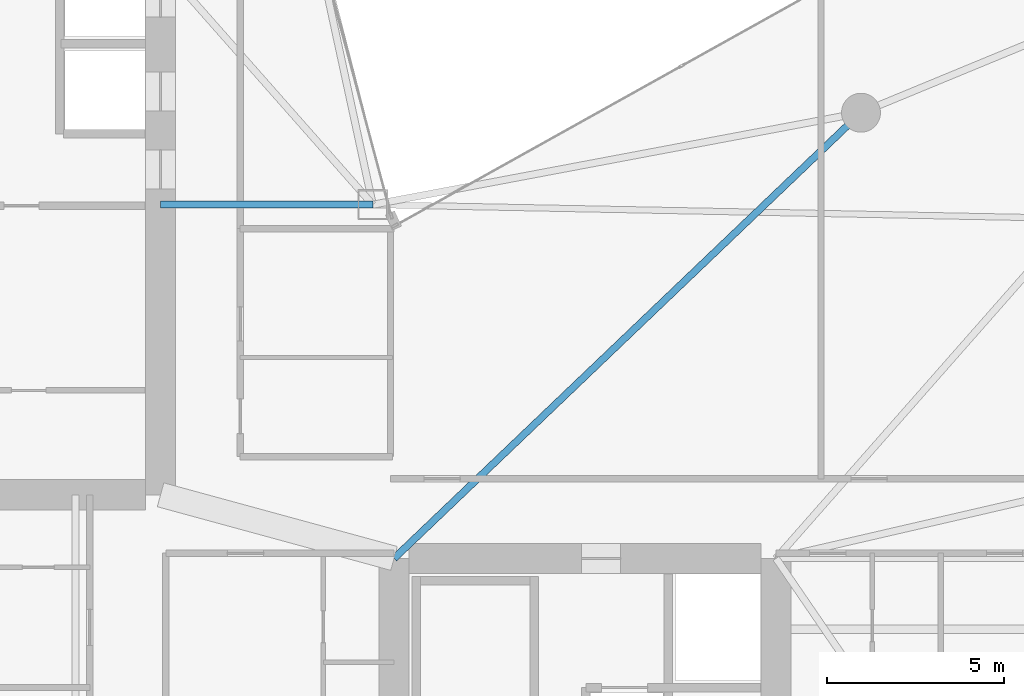
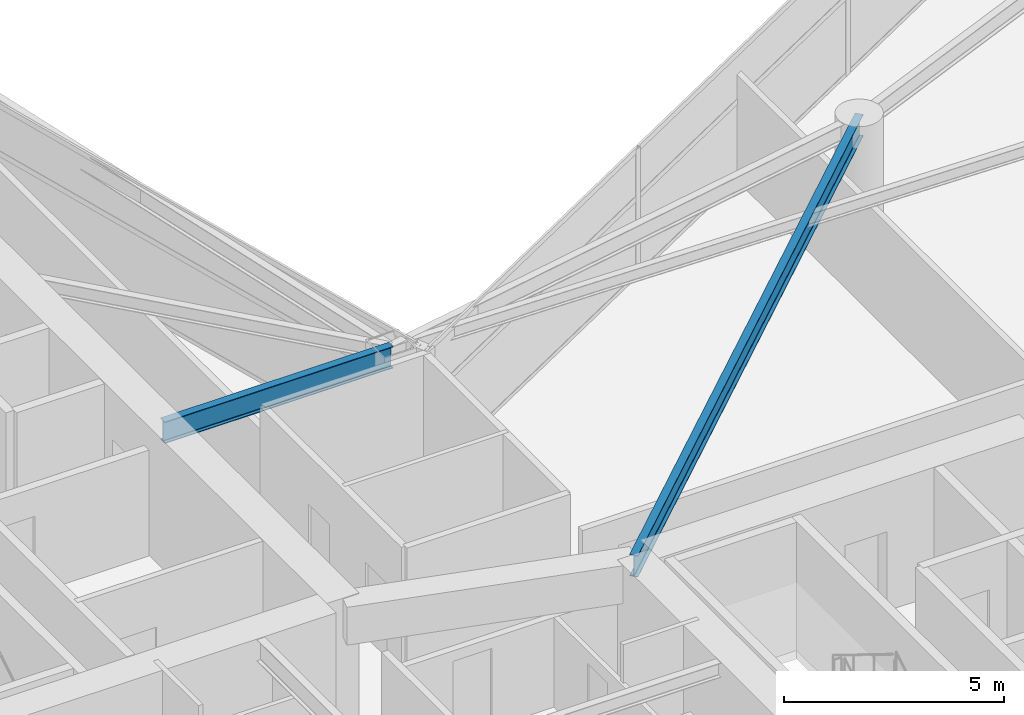
# One storey, part 9 of 29: 2 beams.
"""IFC4 building model written with IfcOpenShell, lengths in metres."""

import ifcopenshell
import ifcopenshell.guid

model = None  # the IFC model being written
_history = None  # IfcOwnerHistory: only IFC2X3 demands one
_inside = {}  # id of a spatial element -> (the spatial element, [elements in it])
_under = {}  # id of a project, library or spatial element -> (it, [spatial elements below it])
_declared = {}  # id of a project -> (the project, [libraries it declares])
_typed = {}  # id of a type object -> (the type object, [elements of that type])
_made_of = {}  # id of a material, layer set ... -> (it, [elements and type objects made of it])


def new_model(schema):
    """Start an empty IFC model of exactly this schema.

    Asked for "IFC4X3", IfcOpenShell would pick the latest addendum, in which some entities
    have other attributes; the version numbers below select the first issue.
    IFC2X3 requires an IfcOwnerHistory on every rooted entity: one is made here for all.
    """
    global model, _history
    if schema == "IFC4X3":
        model = ifcopenshell.file(schema_version=(4, 3, 0, 0))
    else:
        model = ifcopenshell.file(schema=schema)
    _inside.clear()
    _under.clear()
    _declared.clear()
    _typed.clear()
    _made_of.clear()
    _history = None
    if model.schema == "IFC2X3":
        org = make("IfcOrganization", Name="unknown")
        user = make(
            "IfcPersonAndOrganization",
            ThePerson=make("IfcPerson", FamilyName="unknown"),
            TheOrganization=org,
        )
        app = make(
            "IfcApplication",
            ApplicationDeveloper=org,
            Version="unknown",
            ApplicationFullName="unknown",
            ApplicationIdentifier="unknown",
        )
        _history = make(
            "IfcOwnerHistory",
            OwningUser=user,
            OwningApplication=app,
            ChangeAction="ADDED",
            CreationDate=0,
        )
    return model


def make(cls, **values):
    """One entity of the class cls with the attributes given. An attribute that is None is left unset."""
    return model.create_entity(
        cls, **{name: value for name, value in values.items() if value is not None}
    )


def rooted(cls, **values):
    """An entity with a GlobalId (a new one), such as an element, a storey or a relation."""
    return make(cls, GlobalId=ifcopenshell.guid.new(), OwnerHistory=_history, **values)


def si_unit(unit_type, name, prefix=None):
    """IfcSIUnit, for example si_unit("LENGTHUNIT", "METRE", prefix="MILLI")."""
    return make("IfcSIUnit", UnitType=unit_type, Prefix=prefix, Name=name)


def assignment(units):
    """IfcUnitAssignment: the units of a project."""
    return None if units is None else make("IfcUnitAssignment", Units=units)


def point(xyz):
    """IfcCartesianPoint."""
    return None if xyz is None else make("IfcCartesianPoint", Coordinates=xyz)


def direction(xyz):
    """IfcDirection."""
    return None if xyz is None else make("IfcDirection", DirectionRatios=xyz)


def frame(location, z_axis=None, x_axis=None):
    """IfcAxis2Placement3D, a coordinate frame: its origin and axes. An axis left out is left unset."""
    return make(
        "IfcAxis2Placement3D",
        Location=point(location),
        Axis=direction(z_axis),
        RefDirection=direction(x_axis),
    )


def frame_2d(location, x_axis=None):
    """IfcAxis2Placement2D, a coordinate frame in the plane: its origin and x axis."""
    return make(
        "IfcAxis2Placement2D", Location=point(location), RefDirection=direction(x_axis)
    )


def origin():
    """The frame at (0, 0, 0) with its axes left unset."""
    return frame((0.0, 0.0, 0.0))


def origin_2d():
    """The frame at (0, 0) in the plane with its x axis left unset."""
    return frame_2d((0.0, 0.0))


def place(relative_to, where):
    """IfcLocalPlacement: puts the frame where relative to a parent placement (None: the world)."""
    return make(
        "IfcLocalPlacement", PlacementRelTo=relative_to, RelativePlacement=where
    )


def context(
    kind, dimensions, precision=None, world=None, true_north=None, identifier=None
):
    """IfcGeometricRepresentationContext, for example the 3D "Model" context."""
    return make(
        "IfcGeometricRepresentationContext",
        ContextIdentifier=identifier,
        ContextType=kind,
        CoordinateSpaceDimension=dimensions,
        Precision=precision,
        WorldCoordinateSystem=world,
        TrueNorth=true_north,
    )


def subcontext(parent, identifier, kind, view, scale=None):
    """IfcGeometricRepresentationSubContext, for example "Body" below "Model"."""
    return make(
        "IfcGeometricRepresentationSubContext",
        ContextIdentifier=identifier,
        ContextType=kind,
        ParentContext=parent,
        TargetScale=scale,
        TargetView=view,
    )


def project(units=None, contexts=None):
    """IfcProject with its units and contexts."""
    return rooted(
        "IfcProject",
        Name="project",
        RepresentationContexts=contexts,
        UnitsInContext=assignment(units),
    )


def spatial(cls, under=None, at=None, **own):
    """A site, building, storey or space (cls), placed at a placement, below another one or the project."""
    s = rooted(cls, ObjectPlacement=at, **own)
    if under is not None:
        _under.setdefault(under.id(), (under, []))[1].append(s)
    return s


def profile(cls, at=None, kind="AREA", **sizes):
    """A parametric profile (cls). Its sizes go by their IFC names, for example OverallWidth=200.0."""
    return make(cls, ProfileType=kind, Position=at, **sizes)


def i_section(**sizes):
    """IfcIShapeProfileDef."""
    return profile("IfcIShapeProfileDef", **sizes)


def extrude(swept, where, along, depth):
    """IfcExtrudedAreaSolid: the profile swept, set in the frame where, extruded along a direction by depth."""
    return make(
        "IfcExtrudedAreaSolid",
        SweptArea=swept,
        Position=where,
        ExtrudedDirection=direction(along),
        Depth=depth,
    )


def shape(context_of_items, identifier, shape_type, items):
    """IfcShapeRepresentation: the items that make up one representation, for example the "Body"."""
    return make(
        "IfcShapeRepresentation",
        ContextOfItems=context_of_items,
        RepresentationIdentifier=identifier,
        RepresentationType=shape_type,
        Items=items,
    )


def material(Name=None, Category=None):
    """IfcMaterial."""
    return make("IfcMaterial", Name=Name, Category=Category)


def material_profile(
    of_material, cross_section, Name=None, Category=None, Priority=None
):
    """IfcMaterialProfile: a cross section and its material."""
    return make(
        "IfcMaterialProfile",
        Name=Name,
        Material=of_material,
        Profile=cross_section,
        Priority=Priority,
        Category=Category,
    )


def profile_set(profiles, Name=None, composite=None):
    """IfcMaterialProfileSet."""
    return make(
        "IfcMaterialProfileSet",
        Name=Name,
        MaterialProfiles=profiles,
        CompositeProfile=composite,
    )


def made_of(thing, what):
    """Note that an element or type object is made of a material, layer set ...; save() writes the relation."""
    if what is not None:
        _made_of.setdefault(what.id(), (what, []))[1].append(thing)
    return thing


def type_object(cls, material=None, **own):
    """A type object (cls), such as IfcWallType, which elements share."""
    return made_of(rooted(cls, **own), material)


def element(
    cls,
    number,
    at=None,
    inside=None,
    cuts=None,
    type_object=None,
    material=None,
    context=None,
    identifier="Body",
    shape_type=None,
    held_by="IfcProductDefinitionShape",
    body=None,
    shapes=None,
    **own,
):
    """One element of the class cls, such as IfcWall. Its Tag is "e" and its number.

    at: its placement. inside: the storey or other place that contains it. cuts: it is an
    opening in that element (IfcRelVoidsElement). A single representation is given by context,
    identifier, shape_type and body (its items); several are given by shapes. held_by: the class
    of the entity that holds the representations. save() writes the other relations.
    """
    e = rooted(cls, Tag="e%d" % number, ObjectPlacement=at, **own)
    if body is not None:
        shapes = [shape(context, identifier, shape_type, body)]
    if shapes is not None:
        e.Representation = make(held_by, Representations=shapes)
    if inside is not None:
        _inside.setdefault(inside.id(), (inside, []))[1].append(e)
    if cuts is not None:
        rooted(
            "IfcRelVoidsElement", RelatingBuildingElement=cuts, RelatedOpeningElement=e
        )
    if type_object is not None:
        _typed.setdefault(type_object.id(), (type_object, []))[1].append(e)
    return made_of(e, material)


def aggregate(whole, parts):
    """IfcRelAggregates: a whole, such as a stair, and the parts it consists of."""
    return rooted("IfcRelAggregates", RelatingObject=whole, RelatedObjects=parts)


def save(model, path):
    """Write the relations noted so far, then the file.

    IfcRelAggregates (storeys below a building ...), IfcRelContainedInSpatialStructure (elements
    in a storey), IfcRelDefinesByType, IfcRelAssociatesMaterial and IfcRelDeclares: one each for
    every whole, place, type object, material and project.
    """
    for whole, parts in _under.values():
        aggregate(whole, parts)
    for where, things in _inside.values():
        rooted(
            "IfcRelContainedInSpatialStructure",
            RelatedElements=things,
            RelatingStructure=where,
        )
    for kind, things in _typed.values():
        rooted("IfcRelDefinesByType", RelatedObjects=things, RelatingType=kind)
    for what, things in _made_of.values():
        rooted("IfcRelAssociatesMaterial", RelatedObjects=things, RelatingMaterial=what)
    for by, libraries in _declared.values():
        rooted("IfcRelDeclares", RelatingContext=by, RelatedDefinitions=libraries)
    model.write(path)


model = new_model("IFC4")

# Units and contexts
model_context = context("Model", 3, precision=1e-05, world=origin(), true_north=direction((0.0, 1.0)))
body_context = subcontext(model_context, "Body", "Model", "MODEL_VIEW")
ifc_project = project(units=[si_unit("LENGTHUNIT", "METRE"), si_unit("AREAUNIT", "SQUARE_METRE"), si_unit("VOLUMEUNIT", "CUBIC_METRE"), si_unit("PLANEANGLEUNIT", "RADIAN"), si_unit("MASSUNIT", "GRAM", prefix="KILO")], contexts=[model_context])

# Site, building, storey
site_placement = place(None, origin())
site = spatial("IfcSite", under=ifc_project, at=site_placement, CompositionType="ELEMENT")
building_placement = place(site_placement, origin())
building = spatial("IfcBuilding", under=site, at=building_placement, Name="Calvorn Quay Hotel", CompositionType="ELEMENT")
storey_placement = place(building_placement, frame((0.0, 0.0, 167.5)))
storey = spatial("IfcBuildingStorey", under=building, at=storey_placement, Name="L41", CompositionType="ELEMENT", Elevation=167.5)

# Beams
ifc_material = material(Name="Steel Q355B", Category="steel")
ifc_material_profile = material_profile(ifc_material, i_section(OverallWidth=0.199951171875, OverallDepth=0.60009765625, WebThickness=0.010986328125, FlangeThickness=0.01708984375, FilletRadius=0.01806640625, at=origin_2d()), Name="HN600x200x11x17")
ifc_profile_set = profile_set([ifc_material_profile], Name="Steel Q355B")
beam_type = type_object("IfcBeamType", Name="BM-GIRD-TYP", PredefinedType="BEAM", material=ifc_profile_set)
beam_1_placement = place(storey_placement, frame((21.0, 25.0, 3.239990234375), z_axis=(-1.0, 0.0, 0.0), x_axis=(0.0, -1.0, 0.0)))
element("IfcBeam", 1, at=beam_1_placement, inside=storey, type_object=beam_type, Name="Beam BG-L41-W7", PredefinedType="BEAM", context=body_context, shape_type="SweptSolid", body=[
    extrude(i_section(OverallWidth=0.199951171875, OverallDepth=0.60009765625, WebThickness=0.010986328125, FlangeThickness=0.01708984375, FilletRadius=0.01806640625, at=origin_2d()), origin(), (0.0, 0.0, 1.0), 6.0),
])
beam_2_placement = place(storey_placement, frame((21.60009765625, 15.0, 3.239990234375), z_axis=(0.723351595578, 0.690479883252, 0.0), x_axis=(-0.690479883252, 0.723351595578, 0.0)))
element("IfcBeam", 2, at=beam_2_placement, inside=storey, type_object=beam_type, Name="Beam BG-L41-E4", PredefinedType="BEAM", context=body_context, shape_type="SweptSolid", body=[
    extrude(i_section(OverallWidth=0.199951171875, OverallDepth=0.60009765625, WebThickness=0.010986328125, FlangeThickness=0.01708984375, FilletRadius=0.01806640625, at=origin_2d()), origin(), (0.0, 0.0, 1.0), 18.248291015625),
])

save(model, "model.ifc")
